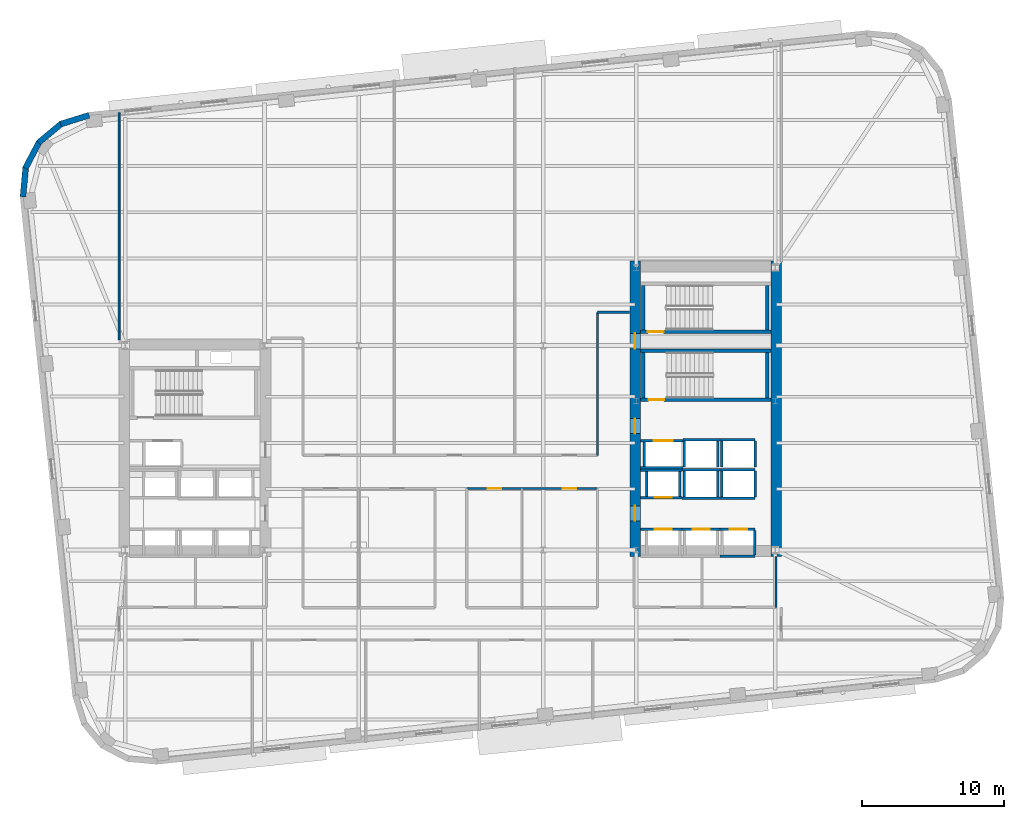
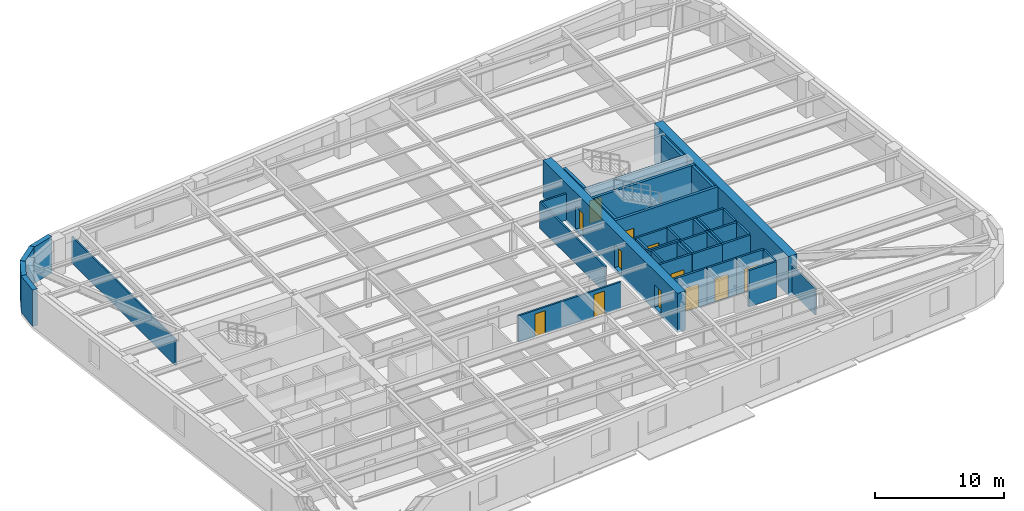
# One storey, part 6 of 11: 44 walls, 12 doors, 12 openings.
"""IFC4 building model written with IfcOpenShell, lengths in metres."""

from ifc_helpers import new_model, si_unit, direction, frame, frame_2d, origin, place, context, subcontext, project, spatial, rectangle, extrude, material, layer, layer_set, type_object, element, fill, save


model = new_model("IFC4")

# Units and contexts
model_context = context("Model", 3, precision=1e-05, world=origin(), true_north=direction((0.0, 1.0)))
body_context = subcontext(model_context, "Body", "Model", "MODEL_VIEW")
ifc_project = project(units=[si_unit("LENGTHUNIT", "METRE"), si_unit("AREAUNIT", "SQUARE_METRE"), si_unit("VOLUMEUNIT", "CUBIC_METRE"), si_unit("PLANEANGLEUNIT", "RADIAN"), si_unit("MASSUNIT", "GRAM", prefix="KILO")], contexts=[model_context])

# Site, building, storey
site_placement = place(None, origin())
site = spatial("IfcSite", under=ifc_project, at=site_placement, CompositionType="ELEMENT")
building_placement = place(site_placement, origin())
building = spatial("IfcBuilding", under=site, at=building_placement, Name="Kolvaren Arena Tower", CompositionType="ELEMENT")
storey_placement = place(building_placement, frame((0.0, 0.0, 122.199951171875)))
storey = spatial("IfcBuildingStorey", under=building, at=storey_placement, Name="L28", CompositionType="ELEMENT", Elevation=122.199951171875)

# Wall, openings, doors
ifc_material_1 = material(Name="Gypsum board acoustic assembly", Category="gypsum")
ifc_layer_1 = layer(ifc_material_1, 0.159912109375)
ifc_layer_set_1 = layer_set([ifc_layer_1], Name="Gypsum board acoustic assembly")
wall_type_1 = type_object("IfcWallType", Name="CORR-160", PredefinedType="PARTITIONING", material=ifc_layer_set_1)
wall_1_placement = place(storey_placement, frame((38.639892578125, 23.780029296875, 0.0), z_axis=(0.0, 0.0, 1.0), x_axis=(1.0, 0.0, 0.0)))
wall_1 = element("IfcWall", 1, at=wall_1_placement, inside=storey, type_object=wall_type_1, Name="Interior Partition Wall (L28)", PredefinedType="PARTITIONING", context=body_context, shape_type="SweptSolid", body=[
    extrude(rectangle(XDim=9.16015625, YDim=0.159912109375, at=frame_2d((4.580078125, 0.0))), origin(), (0.0, 0.0, 1.0), 2.5),
])
opening_1_placement = place(wall_1_placement, frame((1.455078125, 0.0, 0.0)))
opening_1 = element("IfcOpeningElement", 2, at=opening_1_placement, cuts=wall_1, Name="Opening D05", PredefinedType="OPENING", context=body_context, shape_type="SweptSolid", body=[
    extrude(rectangle(XDim=0.949951171875, YDim=2.14990234375, at=frame_2d((0.47509765625, 1.074951171875))), frame((0.0, 0.08984375, 0.0), z_axis=(0.0, -1.0, 0.0), x_axis=(1.0, 0.0, 0.0)), (0.0, 0.0, 1.0), 0.179931640625),
])
opening_2_placement = place(wall_1_placement, frame((6.735107421875, 0.0, 0.0)))
opening_2 = element("IfcOpeningElement", 3, at=opening_2_placement, cuts=wall_1, Name="Opening D05", PredefinedType="OPENING", context=body_context, shape_type="SweptSolid", body=[
    extrude(rectangle(XDim=0.949951171875, YDim=2.14990234375, at=frame_2d((0.47509765625, 1.074951171875))), frame((0.0, 0.08984375, 0.0), z_axis=(0.0, -1.0, 0.0), x_axis=(1.0, 0.0, 0.0)), (0.0, 0.0, 1.0), 0.179931640625),
])
ifc_material_2 = material(Name="Solid-core oak acoustic office door", Category="wood")
door_type_1 = type_object("IfcDoorType", Name="DOOR-OF-095", OperationType="NOTDEFINED", PredefinedType="DOOR", material=ifc_material_2)
door_1_placement = place(opening_1_placement, origin())
door_1 = element("IfcDoor", 4, at=door_1_placement, inside=storey, type_object=door_type_1, Name="Breakout Pantry and Kitchen Door (L28)", OperationType="SINGLE_SWING_RIGHT", OverallHeight=2.14990234375, OverallWidth=0.949951171875, PredefinedType="DOOR", context=body_context, shape_type="SweptSolid", body=[
    extrude(rectangle(XDim=0.949951171875, YDim=2.14990234375, at=frame_2d((0.47509765625, 1.074951171875))), frame((0.0, 0.02490234375, 0.0), z_axis=(0.0, -1.0, 0.0), x_axis=(1.0, 0.0, 0.0)), (0.0, 0.0, 1.0), 0.050048828125),
])
fill(opening_1, door_1)
door_2_placement = place(opening_2_placement, origin())
door_2 = element("IfcDoor", 5, at=door_2_placement, inside=storey, type_object=door_type_1, Name="Client Lounge Door (L28)", OperationType="SINGLE_SWING_LEFT", OverallHeight=2.14990234375, OverallWidth=0.949951171875, PredefinedType="DOOR", context=body_context, shape_type="SweptSolid", body=[
    extrude(rectangle(XDim=0.949951171875, YDim=2.14990234375, at=frame_2d((0.47509765625, 1.074951171875))), frame((0.0, 0.02490234375, 0.0), z_axis=(0.0, -1.0, 0.0), x_axis=(1.0, 0.0, 0.0)), (0.0, 0.0, 1.0), 0.050048828125),
])
fill(opening_2, door_2)

# Walls
wall_2_placement = place(storey_placement, frame((47.820068359375, 26.1201171875, 0.0), z_axis=(0.0, 0.0, 1.0), x_axis=(0.0, 1.0, 0.0)))
element("IfcWall", 6, at=wall_2_placement, inside=storey, type_object=wall_type_1, Name="Interior Partition Wall (L28)", PredefinedType="PARTITIONING", context=body_context, shape_type="SweptSolid", body=[
    extrude(rectangle(XDim=10.079833984375, YDim=0.159912109375, at=frame_2d((5.0400390625, 0.0))), origin(), (0.0, 0.0, 1.0), 2.5),
])
wall_3_placement = place(storey_placement, frame((47.820068359375, 36.199951171875, 0.0), z_axis=(0.0, 0.0, 1.0), x_axis=(1.0, 0.0, 0.0)))
element("IfcWall", 7, at=wall_3_placement, inside=storey, type_object=wall_type_1, Name="Interior Partition Wall (L28)", PredefinedType="PARTITIONING", context=body_context, shape_type="SweptSolid", body=[
    extrude(rectangle(XDim=2.260009765625, YDim=0.159912109375, at=frame_2d((1.1298828125, 0.0))), origin(), (0.0, 0.0, 1.0), 2.5),
])

# Wall, openings, doors
ifc_material_3 = material(Name="Concrete 70 MPa", Category="concrete")
ifc_layer_2 = layer(ifc_material_3, 0.75)
ifc_layer_set_2 = layer_set([ifc_layer_2], Name="Concrete 70 MPa")
wall_type_2 = type_object("IfcWallType", Name="CWALL-750", PredefinedType="SHEAR", material=ifc_layer_set_2)
wall_4_placement = place(storey_placement, frame((50.47509765625, 19.0, -0.27001953125), z_axis=(0.0, 0.0, 1.0), x_axis=(0.0, 1.0, 0.0)))
wall_4 = element("IfcWall", 8, at=wall_4_placement, inside=storey, type_object=wall_type_2, Name="Core Shear Wall EC-WEST (L28)", PredefinedType="SHEAR", context=body_context, shape_type="SweptSolid", body=[
    extrude(rectangle(XDim=20.800048828125, YDim=0.75, at=frame_2d((10.39990234375, 0.0))), origin(), (0.0, 0.0, 1.0), 3.7099609375),
])
opening_3_placement = place(wall_4_placement, frame((2.5, 0.0, 0.27001953125)))
opening_3 = element("IfcOpeningElement", 9, at=opening_3_placement, cuts=wall_4, Name="Opening D04", PredefinedType="OPENING", context=body_context, shape_type="SweptSolid", body=[
    extrude(rectangle(XDim=1.050048828125, YDim=2.14990234375, at=frame_2d((0.52490234375, 1.074951171875))), frame((0.0, 0.385009765625, 0.0), z_axis=(0.0, -1.0, 0.0), x_axis=(1.0, 0.0, 0.0)), (0.0, 0.0, 1.0), 0.77001953125),
])
opening_4_placement = place(wall_4_placement, frame((8.64990234375, 0.0, 0.27001953125)))
opening_4 = element("IfcOpeningElement", 10, at=opening_4_placement, cuts=wall_4, Name="Opening D04", PredefinedType="OPENING", context=body_context, shape_type="SweptSolid", body=[
    extrude(rectangle(XDim=1.050048828125, YDim=2.14990234375, at=frame_2d((0.52490234375, 1.074951171875))), frame((0.0, 0.385009765625, 0.0), z_axis=(0.0, -1.0, 0.0), x_axis=(1.0, 0.0, 0.0)), (0.0, 0.0, 1.0), 0.77001953125),
])
opening_5_placement = place(wall_4_placement, frame((14.6201171875, 0.0, 0.27001953125)))
opening_5 = element("IfcOpeningElement", 11, at=opening_5_placement, cuts=wall_4, Name="Opening D03", PredefinedType="OPENING", context=body_context, shape_type="SweptSolid", body=[
    extrude(rectangle(XDim=1.10009765625, YDim=2.14990234375, at=frame_2d((0.550048828125, 1.074951171875))), frame((0.0, 0.385009765625, 0.0), z_axis=(0.0, -1.0, 0.0), x_axis=(1.0, 0.0, 0.0)), (0.0, 0.0, 1.0), 0.77001953125),
])
ifc_material_4 = material(Name="Fire-rated steel lobby door", Category="steel")
door_type_2 = type_object("IfcDoorType", Name="DOOR-FF-105", OperationType="NOTDEFINED", PredefinedType="DOOR", material=ifc_material_4)
door_3_placement = place(opening_3_placement, origin())
door_3 = element("IfcDoor", 12, at=door_3_placement, inside=storey, type_object=door_type_2, Name="East Lift Lobby Fire Door (L28)", OperationType="SINGLE_SWING_RIGHT", OverallHeight=2.14990234375, OverallWidth=1.050048828125, PredefinedType="DOOR", context=body_context, shape_type="SweptSolid", body=[
    extrude(rectangle(XDim=1.050048828125, YDim=2.14990234375, at=frame_2d((0.52490234375, 1.074951171875))), frame((0.0, 0.02490234375, 0.0), z_axis=(0.0, -1.0, 0.0), x_axis=(1.0, 0.0, 0.0)), (0.0, 0.0, 1.0), 0.050048828125),
])
fill(opening_3, door_3)
door_4_placement = place(opening_4_placement, origin())
door_4 = element("IfcDoor", 13, at=door_4_placement, inside=storey, type_object=door_type_2, Name="East Firefighter Vestibule Door (L28)", OperationType="SINGLE_SWING_LEFT", OverallHeight=2.14990234375, OverallWidth=1.050048828125, PredefinedType="DOOR", context=body_context, shape_type="SweptSolid", body=[
    extrude(rectangle(XDim=1.050048828125, YDim=2.14990234375, at=frame_2d((0.52490234375, 1.074951171875))), frame((0.0, 0.02490234375, 0.0), z_axis=(0.0, -1.0, 0.0), x_axis=(1.0, 0.0, 0.0)), (0.0, 0.0, 1.0), 0.050048828125),
])
fill(opening_4, door_4)
ifc_material_5 = material(Name="Fire-rated steel exit stair door", Category="steel")
door_type_3 = type_object("IfcDoorType", Name="DOOR-ST-110", OperationType="NOTDEFINED", PredefinedType="DOOR", material=ifc_material_5)
door_5_placement = place(opening_5_placement, origin())
door_5 = element("IfcDoor", 14, at=door_5_placement, inside=storey, type_object=door_type_3, Name="Stair ST-E2 Vestibule Fire Door (L28)", OperationType="SINGLE_SWING_LEFT", OverallHeight=2.14990234375, OverallWidth=1.10009765625, PredefinedType="DOOR", context=body_context, shape_type="SweptSolid", body=[
    extrude(rectangle(XDim=1.10009765625, YDim=2.14990234375, at=frame_2d((0.550048828125, 1.074951171875))), frame((0.0, 0.02490234375, 0.0), z_axis=(0.0, -1.0, 0.0), x_axis=(1.0, 0.0, 0.0)), (0.0, 0.0, 1.0), 0.050048828125),
])
fill(opening_5, door_5)

# Walls
wall_5_placement = place(storey_placement, frame((60.425048828125, 19.0, -0.27001953125), z_axis=(0.0, 0.0, 1.0), x_axis=(0.0, 1.0, 0.0)))
element("IfcWall", 15, at=wall_5_placement, inside=storey, type_object=wall_type_2, Name="Core Shear Wall EC-EAST (L28)", PredefinedType="SHEAR", context=body_context, shape_type="SweptSolid", body=[
    extrude(rectangle(XDim=20.800048828125, YDim=0.75, at=frame_2d((10.39990234375, 0.0))), origin(), (0.0, 0.0, 1.0), 3.7099609375),
])
ifc_material_6 = material(Name="Precast concrete C50/60", Category="concrete")
ifc_layer_3 = layer(ifc_material_6, 0.419921875)
ifc_layer_set_3 = layer_set([ifc_layer_3], Name="Precast concrete C50/60")
wall_type_3 = type_object("IfcWallType", Name="EXT-PIER1", PredefinedType="SOLIDWALL", material=ifc_layer_set_3)
wall_6_placement = place(storey_placement, frame((9.98681640625, 49.463134765625, 0.0), z_axis=(0.0, 0.0, 1.0), x_axis=(0.955016613791, 0.296552301261, 0.0)))
element("IfcWall", 16, at=wall_6_placement, inside=storey, type_object=wall_type_3, Name="Exterior Precast Masonry-Frame Wall (L28)", PredefinedType="SOLIDWALL", context=body_context, shape_type="SweptSolid", body=[
    extrude(rectangle(XDim=2.106689453125, YDim=0.419921875, at=frame_2d((1.05322265625, 0.0))), origin(), (0.0, 0.0, 1.0), 3.43994140625),
])
wall_7_placement = place(storey_placement, frame((8.438720703125, 48.15478515625, 0.0), z_axis=(0.0, 0.0, 1.0), x_axis=(0.768800317178, 0.639488914921, 0.0)))
element("IfcWall", 17, at=wall_7_placement, inside=storey, type_object=wall_type_3, Name="Exterior Precast Masonry-Frame Wall (L28)", PredefinedType="SOLIDWALL", context=body_context, shape_type="SweptSolid", body=[
    extrude(rectangle(XDim=2.10693359375, YDim=0.419921875, at=frame_2d((1.053466796875, 0.0))), origin(), (0.0, 0.0, 1.0), 3.43994140625),
])
wall_8_placement = place(storey_placement, frame((7.50927734375, 46.35400390625, 0.0), z_axis=(0.0, 0.0, 1.0), x_axis=(0.465612698516, 0.884988595961, 0.0)))
element("IfcWall", 18, at=wall_8_placement, inside=storey, type_object=wall_type_3, Name="Exterior Precast Masonry-Frame Wall (L28)", PredefinedType="SOLIDWALL", context=body_context, shape_type="SweptSolid", body=[
    extrude(rectangle(XDim=2.106689453125, YDim=0.419921875, at=frame_2d((1.05322265625, 0.0))), origin(), (0.0, 0.0, 1.0), 3.43994140625),
])
wall_9_placement = place(storey_placement, frame((7.339599609375, 44.33447265625, 0.0), z_axis=(0.0, 0.0, 1.0), x_axis=(0.091538655308, 0.995801523691, 0.0)))
element("IfcWall", 19, at=wall_9_placement, inside=storey, type_object=wall_type_3, Name="Exterior Precast Masonry-Frame Wall (L28)", PredefinedType="SOLIDWALL", context=body_context, shape_type="SweptSolid", body=[
    extrude(rectangle(XDim=2.10693359375, YDim=0.419921875, at=frame_2d((1.053466796875, 0.0))), origin(), (0.0, 0.0, 1.0), 3.43994140625),
])
ifc_material_7 = material(Name="Gypsum board partition assembly", Category="gypsum")
ifc_layer_4 = layer(ifc_material_7, 0.135009765625)
ifc_layer_set_4 = layer_set([ifc_layer_4], Name="Gypsum board partition assembly")
wall_type_4 = type_object("IfcWallType", Name="PART-135", PredefinedType="PARTITIONING", material=ifc_layer_set_4)
wall_10_placement = place(storey_placement, frame((14.1201171875, 34.25, 0.0), z_axis=(0.0, 0.0, 1.0), x_axis=(0.0, 1.0, 0.0)))
element("IfcWall", 20, at=wall_10_placement, inside=storey, type_object=wall_type_4, Name="Interior Partition Wall (L28)", PredefinedType="PARTITIONING", context=body_context, shape_type="SweptSolid", body=[
    extrude(rectangle(XDim=16.026611328125, YDim=0.135009765625, at=frame_2d((8.01318359375, 0.0))), origin(), (0.0, 0.0, 1.0), 2.5),
])

# Wall, opening, door
ifc_material_8 = material(Name="Concrete 45 MPa", Category="concrete")
ifc_layer_5 = layer(ifc_material_8, 0.25)
ifc_layer_set_5 = layer_set([ifc_layer_5], Name="Concrete 45 MPa")
wall_type_5 = type_object("IfcWallType", Name="SHAFT-250", PredefinedType="SOLIDWALL", material=ifc_layer_set_5)
wall_11_placement = place(storey_placement, frame((60.050048828125, 30.030029296875, 0.0), z_axis=(0.0, 0.0, 1.0), x_axis=(-1.0, 0.0, 0.0)))
wall_11 = element("IfcWall", 21, at=wall_11_placement, inside=storey, type_object=wall_type_5, Name="Core Shaft Wall (L28)", PredefinedType="SOLIDWALL", context=body_context, shape_type="SweptSolid", body=[
    extrude(rectangle(XDim=9.199951171875, YDim=0.239990234375, at=frame_2d((4.60009765625, 0.0))), origin(), (0.0, 0.0, 1.0), 3.43994140625),
])
opening_6_placement = place(wall_11_placement, frame((7.530029296875, 0.0, 0.0)))
opening_6 = element("IfcOpeningElement", 22, at=opening_6_placement, cuts=wall_11, Name="Opening D03", PredefinedType="OPENING", context=body_context, shape_type="SweptSolid", body=[
    extrude(rectangle(XDim=1.10009765625, YDim=2.14990234375, at=frame_2d((0.550048828125, 1.074951171875))), frame((0.0, 0.1298828125, 0.0), z_axis=(0.0, -1.0, 0.0), x_axis=(1.0, 0.0, 0.0)), (0.0, 0.0, 1.0), 0.260009765625),
])
door_6_placement = place(opening_6_placement, origin())
door_6 = element("IfcDoor", 23, at=door_6_placement, inside=storey, type_object=door_type_3, Name="Stair ST-E1 Fire Door (L28)", OperationType="SINGLE_SWING_LEFT", OverallHeight=2.14990234375, OverallWidth=1.10009765625, PredefinedType="DOOR", context=body_context, shape_type="SweptSolid", body=[
    extrude(rectangle(XDim=1.10009765625, YDim=2.14990234375, at=frame_2d((0.550048828125, 1.074951171875))), frame((0.0, 0.02490234375, 0.0), z_axis=(0.0, -1.0, 0.0), x_axis=(1.0, 0.0, 0.0)), (0.0, 0.0, 1.0), 0.050048828125),
])
fill(opening_6, door_6)

# Walls
wall_12_placement = place(storey_placement, frame((50.85009765625, 33.5, 0.0), z_axis=(0.0, 0.0, 1.0), x_axis=(1.0, 0.0, 0.0)))
element("IfcWall", 24, at=wall_12_placement, inside=storey, type_object=wall_type_5, Name="Core Shaft Wall (L28)", PredefinedType="SOLIDWALL", context=body_context, shape_type="SweptSolid", body=[
    extrude(rectangle(XDim=9.199951171875, YDim=0.239990234375, at=frame_2d((4.60009765625, 0.0))), origin(), (0.0, 0.0, 1.0), 3.43994140625),
])
for number, where, z_axis, x_axis, name in (
    (25, (51.06005859375, 30.14990234375, 0.0), (0.0, 0.0, 1.0), (0.0, 1.0, 0.0), "Core Shaft Wall (L28)"),
    (26, (59.780029296875, 30.14990234375, 0.0), (0.0, 0.0, 1.0), (0.0, 1.0, 0.0), "Core Shaft Wall (L28)"),
):
    element("IfcWall", number, at=place(storey_placement, frame(where, z_axis=z_axis, x_axis=x_axis)), inside=storey, type_object=wall_type_5, Name=name, PredefinedType="SOLIDWALL", context=body_context, shape_type="SweptSolid", body=[
        extrude(rectangle(XDim=3.22998046875, YDim=0.239990234375, at=frame_2d((1.614990234375, 0.0))), origin(), (0.0, 0.0, 1.0), 3.43994140625),
    ])

# Wall, opening, door
wall_13_placement = place(storey_placement, frame((60.050048828125, 34.830078125, 0.0), z_axis=(0.0, 0.0, 1.0), x_axis=(-1.0, 0.0, 0.0)))
wall_13 = element("IfcWall", 27, at=wall_13_placement, inside=storey, type_object=wall_type_5, Name="Core Shaft Wall (L28)", PredefinedType="SOLIDWALL", context=body_context, shape_type="SweptSolid", body=[
    extrude(rectangle(XDim=9.199951171875, YDim=0.239990234375, at=frame_2d((4.60009765625, 0.0))), origin(), (0.0, 0.0, 1.0), 3.43994140625),
])
opening_7_placement = place(wall_13_placement, frame((7.570068359375, 0.0, 0.0)))
opening_7 = element("IfcOpeningElement", 28, at=opening_7_placement, cuts=wall_13, Name="Opening D03", PredefinedType="OPENING", context=body_context, shape_type="SweptSolid", body=[
    extrude(rectangle(XDim=1.10009765625, YDim=2.14990234375, at=frame_2d((0.550048828125, 1.074951171875))), frame((0.0, 0.1298828125, 0.0), z_axis=(0.0, -1.0, 0.0), x_axis=(1.0, 0.0, 0.0)), (0.0, 0.0, 1.0), 0.260009765625),
])
door_7_placement = place(opening_7_placement, origin())
door_7 = element("IfcDoor", 29, at=door_7_placement, inside=storey, type_object=door_type_3, Name="Stair ST-E2 Fire Door (L28)", OperationType="SINGLE_SWING_LEFT", OverallHeight=2.14990234375, OverallWidth=1.10009765625, PredefinedType="DOOR", context=body_context, shape_type="SweptSolid", body=[
    extrude(rectangle(XDim=1.10009765625, YDim=2.14990234375, at=frame_2d((0.550048828125, 1.074951171875))), frame((0.0, 0.02490234375, 0.0), z_axis=(0.0, -1.0, 0.0), x_axis=(1.0, 0.0, 0.0)), (0.0, 0.0, 1.0), 0.050048828125),
])
fill(opening_7, door_7)

# Walls
for number, where, z_axis, x_axis, name in (
    (30, (51.06005859375, 34.949951171875, 0.0), (0.0, 0.0, 1.0), (0.0, 1.0, 0.0), "Core Shaft Wall (L28)"),
    (31, (59.780029296875, 34.949951171875, 0.0), (0.0, 0.0, 1.0), (0.0, 1.0, 0.0), "Core Shaft Wall (L28)"),
):
    element("IfcWall", number, at=place(storey_placement, frame(where, z_axis=z_axis, x_axis=x_axis)), inside=storey, type_object=wall_type_5, Name=name, PredefinedType="SOLIDWALL", context=body_context, shape_type="SweptSolid", body=[
        extrude(rectangle(XDim=3.150146484375, YDim=0.239990234375, at=frame_2d((1.5751953125, 0.0))), origin(), (0.0, 0.0, 1.0), 3.43994140625),
    ])

# Wall, opening, door
wall_14_placement = place(storey_placement, frame((50.85009765625, 20.905029296875, 0.0), z_axis=(0.0, 0.0, 1.0), x_axis=(1.0, 0.0, 0.0)))
wall_14 = element("IfcWall", 32, at=wall_14_placement, inside=storey, type_object=wall_type_5, Name="Core Shaft Wall (L28)", PredefinedType="SOLIDWALL", context=body_context, shape_type="SweptSolid", body=[
    extrude(rectangle(XDim=2.93994140625, YDim=0.179931640625, at=frame_2d((1.469970703125, 0.0))), origin(), (0.0, 0.0, 1.0), 3.43994140625),
])
opening_8_placement = place(wall_14_placement, frame((1.010009765625, 0.0, 0.0)))
opening_8 = element("IfcOpeningElement", 33, at=opening_8_placement, cuts=wall_14, Name="Opening LD1", PredefinedType="OPENING", context=body_context, shape_type="SweptSolid", body=[
    extrude(rectangle(XDim=1.199951171875, YDim=2.199951171875, at=frame_2d((0.60009765625, 1.10009765625))), frame((0.0, 0.099853515625, 0.0), z_axis=(0.0, -1.0, 0.0), x_axis=(1.0, 0.0, 0.0)), (0.0, 0.0, 1.0), 0.199951171875),
])
ifc_material_9 = material(Name="Stainless steel passenger lift landing door", Category="steel")
door_type_4 = type_object("IfcDoorType", Name="DOOR-LD-120", OperationType="DOUBLE_DOOR_SLIDING", PredefinedType="DOOR", material=ifc_material_9)
door_8_placement = place(opening_8_placement, origin())
door_8 = element("IfcDoor", 34, at=door_8_placement, inside=storey, type_object=door_type_4, Name="Lift EL-LR1 Landing Door (L28)", OperationType="DOUBLE_DOOR_SLIDING", OverallHeight=2.199951171875, OverallWidth=1.199951171875, PredefinedType="DOOR", context=body_context, shape_type="SweptSolid", body=[
    extrude(rectangle(XDim=1.199951171875, YDim=2.199951171875, at=frame_2d((0.60009765625, 1.10009765625))), frame((0.0, 0.02490234375, 0.0), z_axis=(0.0, -1.0, 0.0), x_axis=(1.0, 0.0, 0.0)), (0.0, 0.0, 1.0), 0.050048828125),
])
fill(opening_8, door_8)

wall_15_placement = place(storey_placement, frame((53.7900390625, 20.905029296875, 0.0), z_axis=(0.0, 0.0, 1.0), x_axis=(1.0, 0.0, 0.0)))
wall_15 = element("IfcWall", 35, at=wall_15_placement, inside=storey, type_object=wall_type_5, Name="Core Shaft Wall (L28)", PredefinedType="SOLIDWALL", context=body_context, shape_type="SweptSolid", body=[
    extrude(rectangle(XDim=2.64990234375, YDim=0.179931640625, at=frame_2d((1.324951171875, 0.0))), origin(), (0.0, 0.0, 1.0), 3.43994140625),
])
opening_9_placement = place(wall_15_placement, frame((0.72998046875, 0.0, 0.0)))
opening_9 = element("IfcOpeningElement", 36, at=opening_9_placement, cuts=wall_15, Name="Opening LD1", PredefinedType="OPENING", context=body_context, shape_type="SweptSolid", body=[
    extrude(rectangle(XDim=1.199951171875, YDim=2.199951171875, at=frame_2d((0.60009765625, 1.10009765625))), frame((0.0, 0.099853515625, 0.0), z_axis=(0.0, -1.0, 0.0), x_axis=(1.0, 0.0, 0.0)), (0.0, 0.0, 1.0), 0.199951171875),
])
door_9_placement = place(opening_9_placement, origin())
door_9 = element("IfcDoor", 37, at=door_9_placement, inside=storey, type_object=door_type_4, Name="Lift EL-LR2 Landing Door (L28)", OperationType="DOUBLE_DOOR_SLIDING", OverallHeight=2.199951171875, OverallWidth=1.199951171875, PredefinedType="DOOR", context=body_context, shape_type="SweptSolid", body=[
    extrude(rectangle(XDim=1.199951171875, YDim=2.199951171875, at=frame_2d((0.60009765625, 1.10009765625))), frame((0.0, 0.02490234375, 0.0), z_axis=(0.0, -1.0, 0.0), x_axis=(1.0, 0.0, 0.0)), (0.0, 0.0, 1.0), 0.050048828125),
])
fill(opening_9, door_9)

wall_16_placement = place(storey_placement, frame((56.43994140625, 20.905029296875, 0.0), z_axis=(0.0, 0.0, 1.0), x_axis=(1.0, 0.0, 0.0)))
wall_16 = element("IfcWall", 38, at=wall_16_placement, inside=storey, type_object=wall_type_5, Name="Core Shaft Wall (L28)", PredefinedType="SOLIDWALL", context=body_context, shape_type="SweptSolid", body=[
    extrude(rectangle(XDim=2.47509765625, YDim=0.179931640625, at=frame_2d((1.237548828125, 0.0))), origin(), (0.0, 0.0, 1.0), 3.43994140625),
])
opening_10_placement = place(wall_16_placement, frame((0.719970703125, 0.0, 0.0)))
opening_10 = element("IfcOpeningElement", 39, at=opening_10_placement, cuts=wall_16, Name="Opening LD1", PredefinedType="OPENING", context=body_context, shape_type="SweptSolid", body=[
    extrude(rectangle(XDim=1.199951171875, YDim=2.199951171875, at=frame_2d((0.60009765625, 1.10009765625))), frame((0.0, 0.099853515625, 0.0), z_axis=(0.0, -1.0, 0.0), x_axis=(1.0, 0.0, 0.0)), (0.0, 0.0, 1.0), 0.199951171875),
])
door_10_placement = place(opening_10_placement, origin())
door_10 = element("IfcDoor", 40, at=door_10_placement, inside=storey, type_object=door_type_4, Name="Lift EL-LR3 Landing Door (L28)", OperationType="DOUBLE_DOOR_SLIDING", OverallHeight=2.199951171875, OverallWidth=1.199951171875, PredefinedType="DOOR", context=body_context, shape_type="SweptSolid", body=[
    extrude(rectangle(XDim=1.199951171875, YDim=2.199951171875, at=frame_2d((0.60009765625, 1.10009765625))), frame((0.0, 0.02490234375, 0.0), z_axis=(0.0, -1.0, 0.0), x_axis=(1.0, 0.0, 0.0)), (0.0, 0.0, 1.0), 0.050048828125),
])
fill(opening_10, door_10)

# Walls
wall_17_placement = place(storey_placement, frame((56.43994140625, 18.9951171875, 0.0), z_axis=(0.0, 0.0, 1.0), x_axis=(1.0, 0.0, 0.0)))
element("IfcWall", 41, at=wall_17_placement, inside=storey, type_object=wall_type_5, Name="Core Shaft Wall (L28)", PredefinedType="SOLIDWALL", context=body_context, shape_type="SweptSolid", body=[
    extrude(rectangle(XDim=2.47509765625, YDim=0.179931640625, at=frame_2d((1.237548828125, 0.0))), origin(), (0.0, 0.0, 1.0), 3.43994140625),
])
wall_18_placement = place(storey_placement, frame((58.9150390625, 19.0849609375, 0.0), z_axis=(0.0, 0.0, 1.0), x_axis=(0.0, 1.0, 0.0)))
element("IfcWall", 42, at=wall_18_placement, inside=storey, type_object=wall_type_5, Name="Core Shaft Wall (L28)", PredefinedType="SOLIDWALL", context=body_context, shape_type="SweptSolid", body=[
    extrude(rectangle(XDim=1.72998046875, YDim=0.179931640625, at=frame_2d((0.864990234375, 0.0))), origin(), (0.0, 0.0, 1.0), 3.43994140625),
])
wall_19_placement = place(storey_placement, frame((50.85009765625, 25.054931640625, 0.0), z_axis=(0.0, 0.0, 1.0), x_axis=(1.0, 0.0, 0.0)))
element("IfcWall", 43, at=wall_19_placement, inside=storey, type_object=wall_type_5, Name="Core Shaft Wall (L28)", PredefinedType="SOLIDWALL", context=body_context, shape_type="SweptSolid", body=[
    extrude(rectangle(XDim=2.927490234375, YDim=0.179931640625, at=frame_2d((1.4638671875, 0.0))), origin(), (0.0, 0.0, 1.0), 3.43994140625),
])

# Wall, opening, door
wall_20_placement = place(storey_placement, frame((50.85009765625, 23.14501953125, 0.0), z_axis=(0.0, 0.0, 1.0), x_axis=(1.0, 0.0, 0.0)))
wall_20 = element("IfcWall", 44, at=wall_20_placement, inside=storey, type_object=wall_type_5, Name="Core Shaft Wall (L28)", PredefinedType="SOLIDWALL", context=body_context, shape_type="SweptSolid", body=[
    extrude(rectangle(XDim=2.927490234375, YDim=0.179931640625, at=frame_2d((1.4638671875, 0.0))), origin(), (0.0, 0.0, 1.0), 3.43994140625),
])
opening_11_placement = place(wall_20_placement, frame((1.010009765625, 0.0, 0.0)))
opening_11 = element("IfcOpeningElement", 45, at=opening_11_placement, cuts=wall_20, Name="Opening LD1", PredefinedType="OPENING", context=body_context, shape_type="SweptSolid", body=[
    extrude(rectangle(XDim=1.199951171875, YDim=2.199951171875, at=frame_2d((0.60009765625, 1.10009765625))), frame((0.0, 0.099853515625, 0.0), z_axis=(0.0, -1.0, 0.0), x_axis=(1.0, 0.0, 0.0)), (0.0, 0.0, 1.0), 0.199951171875),
])
door_11_placement = place(opening_11_placement, origin())
door_11 = element("IfcDoor", 46, at=door_11_placement, inside=storey, type_object=door_type_4, Name="Lift EL-LR4 Landing Door (L28)", OperationType="DOUBLE_DOOR_SLIDING", OverallHeight=2.199951171875, OverallWidth=1.199951171875, PredefinedType="DOOR", context=body_context, shape_type="SweptSolid", body=[
    extrude(rectangle(XDim=1.199951171875, YDim=2.199951171875, at=frame_2d((0.60009765625, 1.10009765625))), frame((0.0, 0.02490234375, 0.0), z_axis=(0.0, -1.0, 0.0), x_axis=(1.0, 0.0, 0.0)), (0.0, 0.0, 1.0), 0.050048828125),
])
fill(opening_11, door_11)

# Walls
for number, where, z_axis, x_axis, name in (
    (47, (51.304931640625, 23.235107421875, 0.0), (0.0, 0.0, 1.0), (0.0, 1.0, 0.0), "Core Shaft Wall (L28)"),
    (48, (53.614990234375, 23.235107421875, 0.0), (0.0, 0.0, 1.0), (0.0, 1.0, 0.0), "Core Shaft Wall (L28)"),
):
    element("IfcWall", number, at=place(storey_placement, frame(where, z_axis=z_axis, x_axis=x_axis)), inside=storey, type_object=wall_type_5, Name=name, PredefinedType="SOLIDWALL", context=body_context, shape_type="SweptSolid", body=[
        extrude(rectangle(XDim=1.72998046875, YDim=0.179931640625, at=frame_2d((0.864990234375, 0.0))), origin(), (0.0, 0.0, 1.0), 3.43994140625),
    ])
for number, where, z_axis, x_axis, name in (
    (49, (53.777587890625, 25.10498046875, 0.0), (0.0, 0.0, 1.0), (1.0, 0.0, 0.0), "Core Shaft Wall (L28)"),
    (50, (53.777587890625, 23.094970703125, 0.0), (0.0, 0.0, 1.0), (1.0, 0.0, 0.0), "Core Shaft Wall (L28)"),
):
    element("IfcWall", number, at=place(storey_placement, frame(where, z_axis=z_axis, x_axis=x_axis)), inside=storey, type_object=wall_type_5, Name=name, PredefinedType="SOLIDWALL", context=body_context, shape_type="SweptSolid", body=[
        extrude(rectangle(XDim=2.662353515625, YDim=0.179931640625, at=frame_2d((1.3310546875, 0.0))), origin(), (0.0, 0.0, 1.0), 3.43994140625),
    ])
for number, where, z_axis, x_axis, name in (
    (51, (53.93994140625, 23.18505859375, 0.0), (0.0, 0.0, 1.0), (0.0, 1.0, 0.0), "Core Shaft Wall (L28)"),
    (52, (56.300048828125, 23.18505859375, 0.0), (0.0, 0.0, 1.0), (0.0, 1.0, 0.0), "Core Shaft Wall (L28)"),
):
    element("IfcWall", number, at=place(storey_placement, frame(where, z_axis=z_axis, x_axis=x_axis)), inside=storey, type_object=wall_type_5, Name=name, PredefinedType="SOLIDWALL", context=body_context, shape_type="SweptSolid", body=[
        extrude(rectangle(XDim=1.829833984375, YDim=0.179931640625, at=frame_2d((0.9150390625, 0.0))), origin(), (0.0, 0.0, 1.0), 3.43994140625),
    ])
for number, where, z_axis, x_axis, name in (
    (53, (56.43994140625, 25.10498046875, 0.0), (0.0, 0.0, 1.0), (1.0, 0.0, 0.0), "Core Shaft Wall (L28)"),
    (54, (56.43994140625, 23.094970703125, 0.0), (0.0, 0.0, 1.0), (1.0, 0.0, 0.0), "Core Shaft Wall (L28)"),
):
    element("IfcWall", number, at=place(storey_placement, frame(where, z_axis=z_axis, x_axis=x_axis)), inside=storey, type_object=wall_type_5, Name=name, PredefinedType="SOLIDWALL", context=body_context, shape_type="SweptSolid", body=[
        extrude(rectangle(XDim=2.5, YDim=0.179931640625, at=frame_2d((1.25, 0.0))), origin(), (0.0, 0.0, 1.0), 3.43994140625),
    ])
for number, where, z_axis, x_axis, name in (
    (55, (56.580078125, 23.18505859375, 0.0), (0.0, 0.0, 1.0), (0.0, 1.0, 0.0), "Core Shaft Wall (L28)"),
    (56, (58.93994140625, 23.18505859375, 0.0), (0.0, 0.0, 1.0), (0.0, 1.0, 0.0), "Core Shaft Wall (L28)"),
):
    element("IfcWall", number, at=place(storey_placement, frame(where, z_axis=z_axis, x_axis=x_axis)), inside=storey, type_object=wall_type_5, Name=name, PredefinedType="SOLIDWALL", context=body_context, shape_type="SweptSolid", body=[
        extrude(rectangle(XDim=1.829833984375, YDim=0.179931640625, at=frame_2d((0.9150390625, 0.0))), origin(), (0.0, 0.0, 1.0), 3.43994140625),
    ])
wall_21_placement = place(storey_placement, frame((53.864990234375, 27.205078125, 0.0), z_axis=(0.0, 0.0, 1.0), x_axis=(1.0, 0.0, 0.0)))
element("IfcWall", 57, at=wall_21_placement, inside=storey, type_object=wall_type_5, Name="Core Shaft Wall (L28)", PredefinedType="SOLIDWALL", context=body_context, shape_type="SweptSolid", body=[
    extrude(rectangle(XDim=2.574951171875, YDim=0.179931640625, at=frame_2d((1.28759765625, 0.0))), origin(), (0.0, 0.0, 1.0), 3.43994140625),
])
for number, where, z_axis, x_axis, name in (
    (58, (53.93994140625, 25.284912109375, 0.0), (0.0, 0.0, 1.0), (0.0, 1.0, 0.0), "Core Shaft Wall (L28)"),
    (59, (56.300048828125, 25.284912109375, 0.0), (0.0, 0.0, 1.0), (0.0, 1.0, 0.0), "Core Shaft Wall (L28)"),
):
    element("IfcWall", number, at=place(storey_placement, frame(where, z_axis=z_axis, x_axis=x_axis)), inside=storey, type_object=wall_type_5, Name=name, PredefinedType="SOLIDWALL", context=body_context, shape_type="SweptSolid", body=[
        extrude(rectangle(XDim=1.830078125, YDim=0.179931640625, at=frame_2d((0.9150390625, 0.0))), origin(), (0.0, 0.0, 1.0), 3.43994140625),
    ])
wall_22_placement = place(storey_placement, frame((56.43994140625, 27.205078125, 0.0), z_axis=(0.0, 0.0, 1.0), x_axis=(1.0, 0.0, 0.0)))
element("IfcWall", 60, at=wall_22_placement, inside=storey, type_object=wall_type_5, Name="Core Shaft Wall (L28)", PredefinedType="SOLIDWALL", context=body_context, shape_type="SweptSolid", body=[
    extrude(rectangle(XDim=2.5, YDim=0.179931640625, at=frame_2d((1.25, 0.0))), origin(), (0.0, 0.0, 1.0), 3.43994140625),
])
for number, where, z_axis, x_axis, name in (
    (61, (56.580078125, 25.284912109375, 0.0), (0.0, 0.0, 1.0), (0.0, 1.0, 0.0), "Core Shaft Wall (L28)"),
    (62, (58.93994140625, 25.284912109375, 0.0), (0.0, 0.0, 1.0), (0.0, 1.0, 0.0), "Core Shaft Wall (L28)"),
):
    element("IfcWall", number, at=place(storey_placement, frame(where, z_axis=z_axis, x_axis=x_axis)), inside=storey, type_object=wall_type_5, Name=name, PredefinedType="SOLIDWALL", context=body_context, shape_type="SweptSolid", body=[
        extrude(rectangle(XDim=1.830078125, YDim=0.179931640625, at=frame_2d((0.9150390625, 0.0))), origin(), (0.0, 0.0, 1.0), 3.43994140625),
    ])

# Wall, opening, door
wall_23_placement = place(storey_placement, frame((50.85009765625, 27.155029296875, 0.0), z_axis=(0.0, 0.0, 1.0), x_axis=(1.0, 0.0, 0.0)))
wall_23 = element("IfcWall", 63, at=wall_23_placement, inside=storey, type_object=wall_type_5, Name="Core Shaft Wall (L28)", PredefinedType="SOLIDWALL", context=body_context, shape_type="SweptSolid", body=[
    extrude(rectangle(XDim=3.014892578125, YDim=0.179931640625, at=frame_2d((1.50732421875, 0.0))), origin(), (0.0, 0.0, 1.0), 3.43994140625),
])
opening_12_placement = place(wall_23_placement, frame((0.93505859375, 0.0, 0.0)))
opening_12 = element("IfcOpeningElement", 64, at=opening_12_placement, cuts=wall_23, Name="Opening LD2", PredefinedType="OPENING", context=body_context, shape_type="SweptSolid", body=[
    extrude(rectangle(XDim=1.35009765625, YDim=2.300048828125, at=frame_2d((0.675048828125, 1.14990234375))), frame((0.0, 0.099853515625, 0.0), z_axis=(0.0, -1.0, 0.0), x_axis=(1.0, 0.0, 0.0)), (0.0, 0.0, 1.0), 0.199951171875),
])
ifc_material_10 = material(Name="Stainless steel firefighter lift landing door", Category="steel")
door_type_5 = type_object("IfcDoorType", Name="DOOR-LD-135", OperationType="DOUBLE_DOOR_SLIDING", PredefinedType="DOOR", material=ifc_material_10)
door_12_placement = place(opening_12_placement, origin())
door_12 = element("IfcDoor", 65, at=door_12_placement, inside=storey, type_object=door_type_5, Name="Firefighter Lift FF-E1 Landing Door (L28)", OperationType="DOUBLE_DOOR_SLIDING", OverallHeight=2.300048828125, OverallWidth=1.35009765625, PredefinedType="DOOR", context=body_context, shape_type="SweptSolid", body=[
    extrude(rectangle(XDim=1.35009765625, YDim=2.300048828125, at=frame_2d((0.675048828125, 1.14990234375))), frame((0.0, 0.02490234375, 0.0), z_axis=(0.0, -1.0, 0.0), x_axis=(1.0, 0.0, 0.0)), (0.0, 0.0, 1.0), 0.050048828125),
])
fill(opening_12, door_12)

# Walls
wall_24_placement = place(storey_placement, frame((50.85009765625, 25.2451171875, 0.0), z_axis=(0.0, 0.0, 1.0), x_axis=(1.0, 0.0, 0.0)))
element("IfcWall", 66, at=wall_24_placement, inside=storey, type_object=wall_type_5, Name="Core Shaft Wall (L28)", PredefinedType="SOLIDWALL", context=body_context, shape_type="SweptSolid", body=[
    extrude(rectangle(XDim=3.014892578125, YDim=0.179931640625, at=frame_2d((1.50732421875, 0.0))), origin(), (0.0, 0.0, 1.0), 3.43994140625),
])
wall_25_placement = place(storey_placement, frame((51.1298828125, 25.3349609375, 0.0), z_axis=(0.0, 0.0, 1.0), x_axis=(0.0, 1.0, 0.0)))
element("IfcWall", 67, at=wall_25_placement, inside=storey, type_object=wall_type_5, Name="Core Shaft Wall (L28)", PredefinedType="SOLIDWALL", context=body_context, shape_type="SweptSolid", body=[
    extrude(rectangle(XDim=1.72998046875, YDim=0.179931640625, at=frame_2d((0.864990234375, 0.0))), origin(), (0.0, 0.0, 1.0), 3.43994140625),
])
ifc_material_11 = material(Name="Moisture-resistant gypsum assembly", Category="gypsum")
ifc_layer_6 = layer(ifc_material_11, 0.14990234375)
ifc_layer_set_6 = layer_set([ifc_layer_6], Name="Moisture-resistant gypsum assembly")
wall_type_6 = type_object("IfcWallType", Name="WETW-150", PredefinedType="PARTITIONING", material=ifc_layer_set_6)
wall_26_placement = place(storey_placement, frame((60.39990234375, 15.39990234375, 0.0), z_axis=(0.0, 0.0, 1.0), x_axis=(0.0, 1.0, 0.0)))
element("IfcWall", 68, at=wall_26_placement, inside=storey, type_object=wall_type_6, Name="Interior Partition Wall (L28)", PredefinedType="PARTITIONING", context=body_context, shape_type="SweptSolid", body=[
    extrude(rectangle(XDim=3.580078125, YDim=0.14990234375, at=frame_2d((1.7900390625, 0.0))), origin(), (0.0, 0.0, 1.0), 2.5),
])

save(model, "model.ifc")
